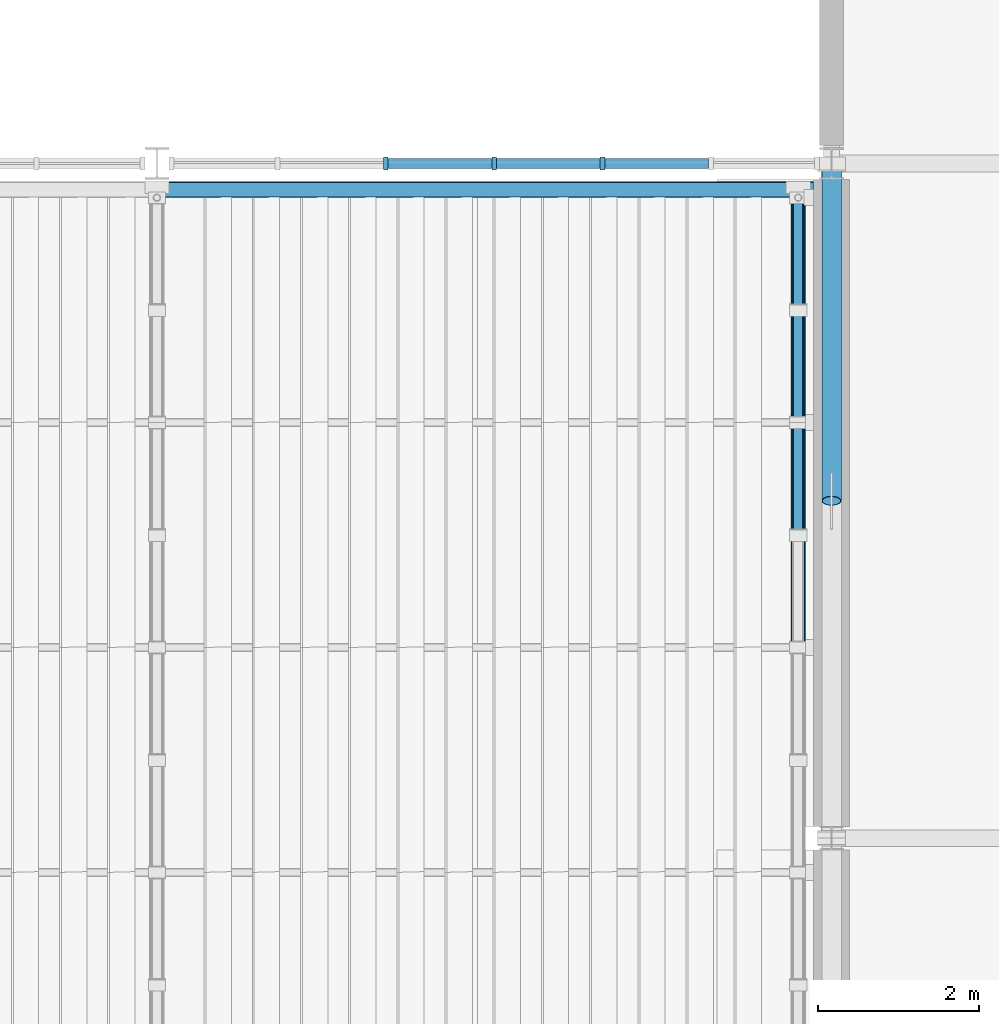
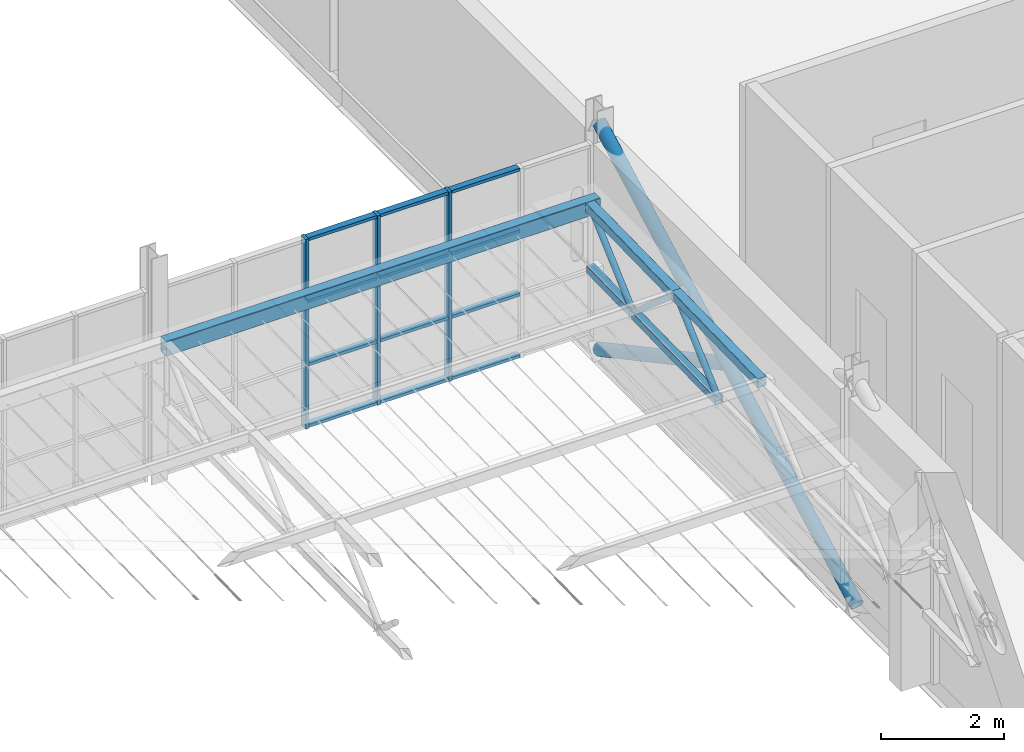
# One storey, part 38 of 129: 24 members, 1 beam, 1 element without a shape of its own.
"""IFC4 building model written with IfcOpenShell, lengths in metres."""

from ifc_helpers import new_model, si_unit, direction, frame, origin, origin_2d, place, context, subcontext, project, spatial, rectangle, hollow_rectangle, hollow_circle, extrude, material, layer, layer_set, material_profile, profile_set, type_object, element, aggregate, save


model = new_model("IFC4")

# Units and contexts
model_context = context("Model", 3, precision=1e-05, world=origin(), true_north=direction((0.0, 1.0)))
body_context = subcontext(model_context, "Body", "Model", "MODEL_VIEW")
ifc_project = project(units=[si_unit("LENGTHUNIT", "METRE"), si_unit("AREAUNIT", "SQUARE_METRE"), si_unit("VOLUMEUNIT", "CUBIC_METRE"), si_unit("PLANEANGLEUNIT", "RADIAN"), si_unit("MASSUNIT", "GRAM", prefix="KILO")], contexts=[model_context])

# Site, building, storey
site_placement = place(None, origin())
site = spatial("IfcSite", under=ifc_project, at=site_placement, CompositionType="ELEMENT")
building_placement = place(site_placement, origin())
building = spatial("IfcBuilding", under=site, at=building_placement, Name="Ardhachandra Cancer Care Centre", CompositionType="ELEMENT")
storey_placement = place(building_placement, frame((0.0, 0.0, 4.5)))
storey = spatial("IfcBuildingStorey", under=building, at=storey_placement, Name="L01", CompositionType="ELEMENT", Elevation=4.5)

# Members
ifc_material_1 = material(Name="Steel E350 (IS 2062)", Category="steel")
ifc_material_profile_1 = material_profile(ifc_material_1, hollow_circle(Radius=0.122314453125, WallThickness=0.010009765625, at=origin_2d()), Name="CHS 244.5x10.0")
ifc_profile_set_1 = profile_set([ifc_material_profile_1], Name="Steel E350 (IS 2062)")
member_type_1 = type_object("IfcMemberType", Name="Brace CHS 244.5x10.0", PredefinedType="BRACE", material=ifc_profile_set_1)
member_1_placement = place(storey_placement, frame((111.60009765625, 46.199951171875, -0.39990234375), z_axis=(0.0, 0.880704415994, 0.473666266108), x_axis=(-1.0, 0.0, 0.0)))
element("IfcMember", 1, at=member_1_placement, inside=storey, type_object=member_type_1, Name="Brace V4-Y1116-462 L01 A", PredefinedType="BRACE", context=body_context, shape_type="SweptSolid", body=[
    extrude(hollow_circle(Radius=0.122314453125, WallThickness=0.010009765625, at=origin_2d()), origin(), (0.0, 0.0, 1.0), 9.5380859375),
])
member_2_placement = place(storey_placement, frame((111.60009765625, 54.60009765625, -0.39990234375), z_axis=(0.0, -0.880720836058, 0.473635734434), x_axis=(1.0, 0.0, 0.0)))
element("IfcMember", 2, at=member_2_placement, inside=storey, type_object=member_type_1, Name="Brace V4-Y1116-462 L01 B1", PredefinedType="BRACE", context=body_context, shape_type="SweptSolid", body=[
    extrude(hollow_circle(Radius=0.122314453125, WallThickness=0.010009765625, at=origin_2d()), origin(), (0.0, 0.0, 1.0), 4.76904296875),
])

# Beam
ifc_material_2 = material(Name="Steel E350 (IS 2062)", Category="steel")
ifc_material_profile_2 = material_profile(ifc_material_2, hollow_rectangle(XDim=0.199951171875, YDim=0.300048828125, WallThickness=0.010009765625, InnerFilletRadius=0.010009765625, OuterFilletRadius=0.02001953125, at=origin_2d()), Name="RHS 300x200x10.0")
ifc_profile_set_2 = profile_set([ifc_material_profile_2], Name="Steel E350 (IS 2062)")
beam_type = type_object("IfcBeamType", Name="Canopy ring and eave beam RHS 300x200x10.0", PredefinedType="BEAM", material=ifc_profile_set_2)
beam_placement = place(storey_placement, frame((103.199951171875, 54.27490234375, 2.79541015625), z_axis=(1.0, 0.0, 0.0), x_axis=(0.0, 1.0, 0.0)))
element("IfcBeam", 3, at=beam_placement, inside=storey, type_object=beam_type, Name="Canopy eave beam 8", PredefinedType="BEAM", context=body_context, shape_type="SweptSolid", body=[
    extrude(hollow_rectangle(XDim=0.199951171875, YDim=0.300048828125, WallThickness=0.010009765625, InnerFilletRadius=0.010009765625, OuterFilletRadius=0.02001953125, at=origin_2d()), origin(), (0.0, 0.0, 1.0), 8.175048828125),
])

# Members
ifc_material_3 = material(Name="Steel E350 (IS 2062)", Category="steel")
ifc_material_profile_3 = material_profile(ifc_material_3, hollow_rectangle(XDim=0.14990234375, YDim=0.14990234375, WallThickness=0.006103515625, InnerFilletRadius=0.006103515625, OuterFilletRadius=0.011962890625, at=origin_2d()), Name="SHS 150x150x6.0")
ifc_profile_set_3 = profile_set([ifc_material_profile_3], Name="Steel E350 (IS 2062)")
member_type_2 = type_object("IfcMemberType", Name="Canopy truss bottom chord SHS 150x150x6.0", PredefinedType="CHORD", material=ifc_profile_set_3)
member_3_placement = place(storey_placement, frame((111.18505859375, 54.175048828125, 1.618408203125), z_axis=(0.0, -0.999802492231, -0.019874016411), x_axis=(1.0, 0.0, 0.0)))
element("IfcMember", 4, at=member_3_placement, inside=storey, type_object=member_type_2, Name="Canopy truss 9 bottom chord BC9", PredefinedType="CHORD", context=body_context, shape_type="SweptSolid", body=[
    extrude(hollow_rectangle(XDim=0.14990234375, YDim=0.14990234375, WallThickness=0.006103515625, InnerFilletRadius=0.006103515625, OuterFilletRadius=0.011962890625, at=origin_2d()), origin(), (0.0, 0.0, 1.0), 1.400390625),
])
member_4_placement = place(storey_placement, frame((111.18505859375, 52.77490234375, 1.590576171875), z_axis=(0.0, -0.999798942946, -0.020051775103), x_axis=(1.0, 0.0, 0.0)))
element("IfcMember", 5, at=member_4_placement, inside=storey, type_object=member_type_2, Name="Canopy truss 9 bottom chord BC10", PredefinedType="CHORD", context=body_context, shape_type="SweptSolid", body=[
    extrude(hollow_rectangle(XDim=0.14990234375, YDim=0.14990234375, WallThickness=0.006103515625, InnerFilletRadius=0.006103515625, OuterFilletRadius=0.011962890625, at=origin_2d()), origin(), (0.0, 0.0, 1.0), 2.80029296875),
])
ifc_material_4 = material(Name="Steel E350 (IS 2062)", Category="steel")
ifc_material_profile_4 = material_profile(ifc_material_4, hollow_circle(Radius=0.05712890625, WallThickness=0.0048828125, at=origin_2d()), Name="CHS 114.3x5.0")
ifc_profile_set_4 = profile_set([ifc_material_profile_4], Name="Steel E350 (IS 2062)")
member_type_3 = type_object("IfcMemberType", Name="Canopy truss diagonal CHS 114.3x5.0", PredefinedType="BRACE", material=ifc_profile_set_4)
member_5_placement = place(storey_placement, frame((111.18505859375, 54.175048828125, 2.853515625), z_axis=(0.0, -0.742553308775, -0.669786968839), x_axis=(1.0, 0.0, 0.0)))
element("IfcMember", 6, at=member_5_placement, inside=storey, type_object=member_type_3, Name="Canopy truss 9 web diagonal WD18", PredefinedType="BRACE", context=body_context, shape_type="SweptSolid", body=[
    extrude(hollow_circle(Radius=0.05712890625, WallThickness=0.0048828125, at=origin_2d()), origin(), (0.0, 0.0, 1.0), 1.885498046875),
])
member_6_placement = place(storey_placement, frame((111.18505859375, 52.77490234375, 1.590576171875), z_axis=(0.0, -0.757351396119, 0.653007551868), x_axis=(1.0, 0.0, 0.0)))
element("IfcMember", 7, at=member_6_placement, inside=storey, type_object=member_type_3, Name="Canopy truss 9 web diagonal WD19", PredefinedType="BRACE", context=body_context, shape_type="SweptSolid", body=[
    extrude(hollow_circle(Radius=0.05712890625, WallThickness=0.0048828125, at=origin_2d()), origin(), (0.0, 0.0, 1.0), 1.848388671875),
])
member_7_placement = place(storey_placement, frame((111.18505859375, 51.375, 2.797607421875), z_axis=(0.0, -0.742430813776, -0.669922746857), x_axis=(1.0, 0.0, 0.0)))
element("IfcMember", 8, at=member_7_placement, inside=storey, type_object=member_type_3, Name="Canopy truss 9 web diagonal WD20", PredefinedType="BRACE", context=body_context, shape_type="SweptSolid", body=[
    extrude(hollow_circle(Radius=0.05712890625, WallThickness=0.0048828125, at=origin_2d()), origin(), (0.0, 0.0, 1.0), 1.885498046875),
])
ifc_material_5 = material(Name="Steel E350 (IS 2062)", Category="steel")
ifc_material_profile_5 = material_profile(ifc_material_5, hollow_rectangle(XDim=0.179931640625, YDim=0.179931640625, WallThickness=0.008056640625, InnerFilletRadius=0.008056640625, OuterFilletRadius=0.01611328125, at=origin_2d()), Name="SHS 180x180x8.0")
ifc_profile_set_5 = profile_set([ifc_material_profile_5], Name="Steel E350 (IS 2062)")
member_type_4 = type_object("IfcMemberType", Name="Canopy truss top chord SHS 180x180x8.0", PredefinedType="CHORD", material=ifc_profile_set_5)
for number, where, z_axis, x_axis, name in (
    (9, (111.18505859375, 54.175048828125, 2.853515625), (0.0, -0.999800721691, -0.019962888244), (1.0, 0.0, 0.0), "Canopy truss 9 top chord TC1"),
    (10, (111.18505859375, 51.375, 2.797607421875), (0.0, -0.999798977995, -0.02005002746), (1.0, 0.0, 0.0), "Canopy truss 9 top chord TC2"),
):
    element("IfcMember", number, at=place(storey_placement, frame(where, z_axis=z_axis, x_axis=x_axis)), inside=storey, type_object=member_type_4, Name=name, PredefinedType="CHORD", context=body_context, shape_type="SweptSolid", body=[
        extrude(hollow_rectangle(XDim=0.179931640625, YDim=0.179931640625, WallThickness=0.008056640625, InnerFilletRadius=0.008056640625, OuterFilletRadius=0.01611328125, at=origin_2d()), origin(), (0.0, 0.0, 1.0), 2.800537109375),
    ])

# Curtain wall, members
ifc_material_6 = material(Name="Aluminium extrusion", Category="aluminium")
ifc_layer = layer(ifc_material_6, 0.14990234375)
ifc_layer_set = layer_set([ifc_layer], Name="Aluminium extrusion")
curtain_wall_type = type_object("IfcCurtainWallType", Name="Curtain wall run", PredefinedType="NOTDEFINED", material=ifc_layer_set)
curtain_wall_placement = place(storey_placement, origin())
curtain_wall = element("IfcCurtainWall", 11, at=curtain_wall_placement, inside=storey, type_object=curtain_wall_type, Name="Curtain wall L01 s/0103200_0054600", PredefinedType="NOTDEFINED")
ifc_material_7 = material(Name="Aluminium extrusion", Category="aluminium")
ifc_material_profile_6 = material_profile(ifc_material_7, rectangle(XDim=0.159912109375, YDim=0.06005859375, at=origin_2d()), Name="Curtain wall mullion 60 x 160")
ifc_profile_set_6 = profile_set([ifc_material_profile_6], Name="Aluminium extrusion")
member_type_5 = type_object("IfcMemberType", Name="Curtain wall mullion 60 x 160", PredefinedType="MULLION", material=ifc_profile_set_6)
member_8_placement = place(storey_placement, frame((106.050048828125, 54.60009765625, 0.0), z_axis=(0.0, 0.0, 1.0), x_axis=(0.0, 1.0, 0.0)))
member_8 = element("IfcMember", 12, at=member_8_placement, type_object=member_type_5, Name="CW mullion 3", PredefinedType="MULLION", context=body_context, shape_type="SweptSolid", body=[
    extrude(rectangle(XDim=0.159912109375, YDim=0.06005859375, at=origin_2d()), origin(), (0.0, 0.0, 1.0), 3.780517578125),
])
member_9_placement = place(storey_placement, frame((107.39990234375, 54.60009765625, 0.0), z_axis=(0.0, 0.0, 1.0), x_axis=(0.0, 1.0, 0.0)))
member_9 = element("IfcMember", 13, at=member_9_placement, type_object=member_type_5, Name="CW mullion 4", PredefinedType="MULLION", context=body_context, shape_type="SweptSolid", body=[
    extrude(rectangle(XDim=0.159912109375, YDim=0.06005859375, at=origin_2d()), origin(), (0.0, 0.0, 1.0), 3.780517578125),
])
member_10_placement = place(storey_placement, frame((108.75, 54.60009765625, 0.0), z_axis=(0.0, 0.0, 1.0), x_axis=(0.0, 1.0, 0.0)))
member_10 = element("IfcMember", 14, at=member_10_placement, type_object=member_type_5, Name="CW mullion 5", PredefinedType="MULLION", context=body_context, shape_type="SweptSolid", body=[
    extrude(rectangle(XDim=0.159912109375, YDim=0.06005859375, at=origin_2d()), origin(), (0.0, 0.0, 1.0), 3.780517578125),
])
ifc_material_8 = material(Name="Aluminium extrusion", Category="aluminium")
ifc_material_profile_7 = material_profile(ifc_material_8, rectangle(XDim=0.1201171875, YDim=0.06005859375, at=origin_2d()), Name="Curtain wall transom 60 x 120")
ifc_profile_set_7 = profile_set([ifc_material_profile_7], Name="Aluminium extrusion")
member_type_6 = type_object("IfcMemberType", Name="Curtain wall transom 60 x 120", PredefinedType="USERDEFINED", material=ifc_profile_set_7)
member_11_placement = place(storey_placement, frame((106.080078125, 54.60009765625, 0.030029296875), z_axis=(1.0, 0.0, 0.0), x_axis=(0.0, 1.0, 0.0)))
member_11 = element("IfcMember", 15, at=member_11_placement, type_object=member_type_6, Name="CW transom 3.1", ObjectType="TRANSOM", PredefinedType="USERDEFINED", context=body_context, shape_type="SweptSolid", body=[
    extrude(rectangle(XDim=0.1201171875, YDim=0.06005859375, at=origin_2d()), origin(), (0.0, 0.0, 1.0), 1.2900390625),
])
member_12_placement = place(storey_placement, frame((106.080078125, 54.60009765625, 1.26025390625), z_axis=(1.0, 0.0, 0.0), x_axis=(0.0, 1.0, 0.0)))
member_12 = element("IfcMember", 16, at=member_12_placement, type_object=member_type_6, Name="CW transom 3.2", ObjectType="TRANSOM", PredefinedType="USERDEFINED", context=body_context, shape_type="SweptSolid", body=[
    extrude(rectangle(XDim=0.1201171875, YDim=0.06005859375, at=origin_2d()), origin(), (0.0, 0.0, 1.0), 1.2900390625),
])
member_13_placement = place(storey_placement, frame((106.080078125, 54.60009765625, 2.520263671875), z_axis=(1.0, 0.0, 0.0), x_axis=(0.0, 1.0, 0.0)))
member_13 = element("IfcMember", 17, at=member_13_placement, type_object=member_type_6, Name="CW transom 3.3", ObjectType="TRANSOM", PredefinedType="USERDEFINED", context=body_context, shape_type="SweptSolid", body=[
    extrude(rectangle(XDim=0.1201171875, YDim=0.06005859375, at=origin_2d()), origin(), (0.0, 0.0, 1.0), 1.2900390625),
])
member_14_placement = place(storey_placement, frame((106.080078125, 54.60009765625, 3.75048828125), z_axis=(1.0, 0.0, 0.0), x_axis=(0.0, 1.0, 0.0)))
member_14 = element("IfcMember", 18, at=member_14_placement, type_object=member_type_6, Name="CW transom 3.4", ObjectType="TRANSOM", PredefinedType="USERDEFINED", context=body_context, shape_type="SweptSolid", body=[
    extrude(rectangle(XDim=0.1201171875, YDim=0.06005859375, at=origin_2d()), origin(), (0.0, 0.0, 1.0), 1.2900390625),
])
member_15_placement = place(storey_placement, frame((107.429931640625, 54.60009765625, 0.030029296875), z_axis=(1.0, 0.0, 0.0), x_axis=(0.0, 1.0, 0.0)))
member_15 = element("IfcMember", 19, at=member_15_placement, type_object=member_type_6, Name="CW transom 4.1", ObjectType="TRANSOM", PredefinedType="USERDEFINED", context=body_context, shape_type="SweptSolid", body=[
    extrude(rectangle(XDim=0.1201171875, YDim=0.06005859375, at=origin_2d()), origin(), (0.0, 0.0, 1.0), 1.2900390625),
])
member_16_placement = place(storey_placement, frame((107.429931640625, 54.60009765625, 1.26025390625), z_axis=(1.0, 0.0, 0.0), x_axis=(0.0, 1.0, 0.0)))
member_16 = element("IfcMember", 20, at=member_16_placement, type_object=member_type_6, Name="CW transom 4.2", ObjectType="TRANSOM", PredefinedType="USERDEFINED", context=body_context, shape_type="SweptSolid", body=[
    extrude(rectangle(XDim=0.1201171875, YDim=0.06005859375, at=origin_2d()), origin(), (0.0, 0.0, 1.0), 1.2900390625),
])
member_17_placement = place(storey_placement, frame((107.429931640625, 54.60009765625, 2.520263671875), z_axis=(1.0, 0.0, 0.0), x_axis=(0.0, 1.0, 0.0)))
member_17 = element("IfcMember", 21, at=member_17_placement, type_object=member_type_6, Name="CW transom 4.3", ObjectType="TRANSOM", PredefinedType="USERDEFINED", context=body_context, shape_type="SweptSolid", body=[
    extrude(rectangle(XDim=0.1201171875, YDim=0.06005859375, at=origin_2d()), origin(), (0.0, 0.0, 1.0), 1.2900390625),
])
member_18_placement = place(storey_placement, frame((107.429931640625, 54.60009765625, 3.75048828125), z_axis=(1.0, 0.0, 0.0), x_axis=(0.0, 1.0, 0.0)))
member_18 = element("IfcMember", 22, at=member_18_placement, type_object=member_type_6, Name="CW transom 4.4", ObjectType="TRANSOM", PredefinedType="USERDEFINED", context=body_context, shape_type="SweptSolid", body=[
    extrude(rectangle(XDim=0.1201171875, YDim=0.06005859375, at=origin_2d()), origin(), (0.0, 0.0, 1.0), 1.2900390625),
])
member_19_placement = place(storey_placement, frame((108.780029296875, 54.60009765625, 0.030029296875), z_axis=(1.0, 0.0, 0.0), x_axis=(0.0, 1.0, 0.0)))
member_19 = element("IfcMember", 23, at=member_19_placement, type_object=member_type_6, Name="CW transom 5.1", ObjectType="TRANSOM", PredefinedType="USERDEFINED", context=body_context, shape_type="SweptSolid", body=[
    extrude(rectangle(XDim=0.1201171875, YDim=0.06005859375, at=origin_2d()), origin(), (0.0, 0.0, 1.0), 1.2900390625),
])
member_20_placement = place(storey_placement, frame((108.780029296875, 54.60009765625, 1.26025390625), z_axis=(1.0, 0.0, 0.0), x_axis=(0.0, 1.0, 0.0)))
member_20 = element("IfcMember", 24, at=member_20_placement, type_object=member_type_6, Name="CW transom 5.2", ObjectType="TRANSOM", PredefinedType="USERDEFINED", context=body_context, shape_type="SweptSolid", body=[
    extrude(rectangle(XDim=0.1201171875, YDim=0.06005859375, at=origin_2d()), origin(), (0.0, 0.0, 1.0), 1.2900390625),
])
member_21_placement = place(storey_placement, frame((108.780029296875, 54.60009765625, 2.520263671875), z_axis=(1.0, 0.0, 0.0), x_axis=(0.0, 1.0, 0.0)))
member_21 = element("IfcMember", 25, at=member_21_placement, type_object=member_type_6, Name="CW transom 5.3", ObjectType="TRANSOM", PredefinedType="USERDEFINED", context=body_context, shape_type="SweptSolid", body=[
    extrude(rectangle(XDim=0.1201171875, YDim=0.06005859375, at=origin_2d()), origin(), (0.0, 0.0, 1.0), 1.2900390625),
])
member_22_placement = place(storey_placement, frame((108.780029296875, 54.60009765625, 3.75048828125), z_axis=(1.0, 0.0, 0.0), x_axis=(0.0, 1.0, 0.0)))
member_22 = element("IfcMember", 26, at=member_22_placement, type_object=member_type_6, Name="CW transom 5.4", ObjectType="TRANSOM", PredefinedType="USERDEFINED", context=body_context, shape_type="SweptSolid", body=[
    extrude(rectangle(XDim=0.1201171875, YDim=0.06005859375, at=origin_2d()), origin(), (0.0, 0.0, 1.0), 1.2900390625),
])
aggregate(curtain_wall, [member_8, member_9, member_10, member_11, member_12, member_13, member_14, member_15, member_16, member_17, member_18, member_19, member_20, member_21, member_22])

save(model, "model.ifc")
